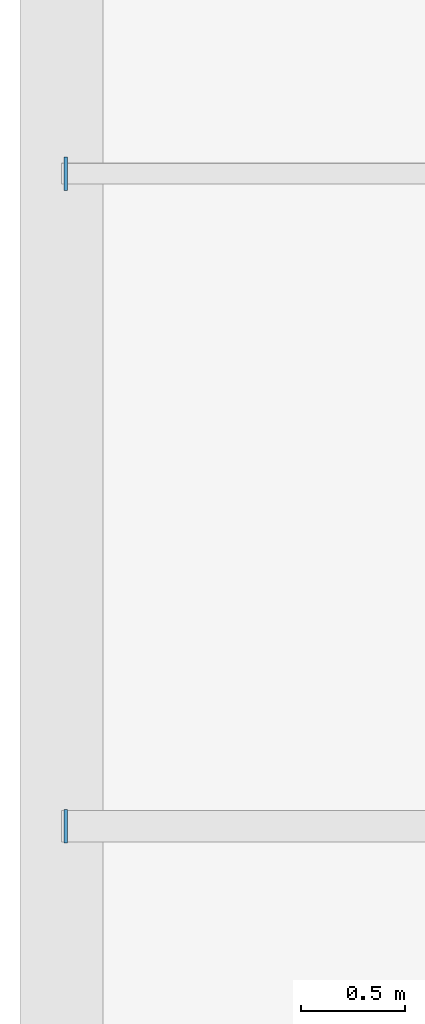
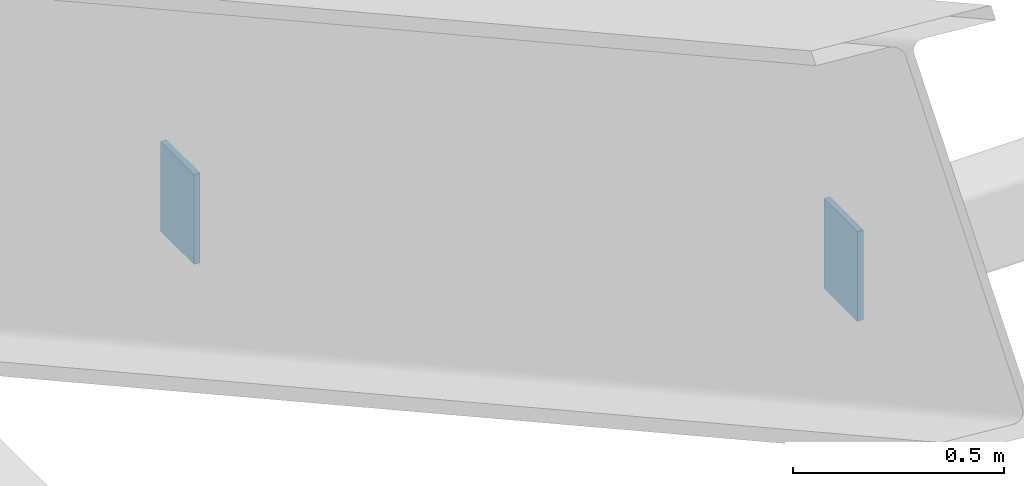
# One storey, part 9 of 13: 2 plates.
"""IFC4 building model written with IfcOpenShell, lengths in metres."""

import ifcopenshell
import ifcopenshell.guid

model = None  # the IFC model being written
_history = None  # IfcOwnerHistory: only IFC2X3 demands one
_inside = {}  # id of a spatial element -> (the spatial element, [elements in it])
_under = {}  # id of a project, library or spatial element -> (it, [spatial elements below it])
_declared = {}  # id of a project -> (the project, [libraries it declares])
_typed = {}  # id of a type object -> (the type object, [elements of that type])
_made_of = {}  # id of a material, layer set ... -> (it, [elements and type objects made of it])


def new_model(schema):
    """Start an empty IFC model of exactly this schema.

    Asked for "IFC4X3", IfcOpenShell would pick the latest addendum, in which some entities
    have other attributes; the version numbers below select the first issue.
    IFC2X3 requires an IfcOwnerHistory on every rooted entity: one is made here for all.
    """
    global model, _history
    if schema == "IFC4X3":
        model = ifcopenshell.file(schema_version=(4, 3, 0, 0))
    else:
        model = ifcopenshell.file(schema=schema)
    _inside.clear()
    _under.clear()
    _declared.clear()
    _typed.clear()
    _made_of.clear()
    _history = None
    if model.schema == "IFC2X3":
        org = make("IfcOrganization", Name="unknown")
        user = make(
            "IfcPersonAndOrganization",
            ThePerson=make("IfcPerson", FamilyName="unknown"),
            TheOrganization=org,
        )
        app = make(
            "IfcApplication",
            ApplicationDeveloper=org,
            Version="unknown",
            ApplicationFullName="unknown",
            ApplicationIdentifier="unknown",
        )
        _history = make(
            "IfcOwnerHistory",
            OwningUser=user,
            OwningApplication=app,
            ChangeAction="ADDED",
            CreationDate=0,
        )
    return model


def make(cls, **values):
    """One entity of the class cls with the attributes given. An attribute that is None is left unset."""
    return model.create_entity(
        cls, **{name: value for name, value in values.items() if value is not None}
    )


def rooted(cls, **values):
    """An entity with a GlobalId (a new one), such as an element, a storey or a relation."""
    return make(cls, GlobalId=ifcopenshell.guid.new(), OwnerHistory=_history, **values)


def si_unit(unit_type, name, prefix=None):
    """IfcSIUnit, for example si_unit("LENGTHUNIT", "METRE", prefix="MILLI")."""
    return make("IfcSIUnit", UnitType=unit_type, Prefix=prefix, Name=name)


def assignment(units):
    """IfcUnitAssignment: the units of a project."""
    return None if units is None else make("IfcUnitAssignment", Units=units)


def point(xyz):
    """IfcCartesianPoint."""
    return None if xyz is None else make("IfcCartesianPoint", Coordinates=xyz)


def direction(xyz):
    """IfcDirection."""
    return None if xyz is None else make("IfcDirection", DirectionRatios=xyz)


def frame(location, z_axis=None, x_axis=None):
    """IfcAxis2Placement3D, a coordinate frame: its origin and axes. An axis left out is left unset."""
    return make(
        "IfcAxis2Placement3D",
        Location=point(location),
        Axis=direction(z_axis),
        RefDirection=direction(x_axis),
    )


def frame_2d(location, x_axis=None):
    """IfcAxis2Placement2D, a coordinate frame in the plane: its origin and x axis."""
    return make(
        "IfcAxis2Placement2D", Location=point(location), RefDirection=direction(x_axis)
    )


def origin():
    """The frame at (0, 0, 0) with its axes left unset."""
    return frame((0.0, 0.0, 0.0))


def origin_2d():
    """The frame at (0, 0) in the plane with its x axis left unset."""
    return frame_2d((0.0, 0.0))


def place(relative_to, where):
    """IfcLocalPlacement: puts the frame where relative to a parent placement (None: the world)."""
    return make(
        "IfcLocalPlacement", PlacementRelTo=relative_to, RelativePlacement=where
    )


def context(
    kind, dimensions, precision=None, world=None, true_north=None, identifier=None
):
    """IfcGeometricRepresentationContext, for example the 3D "Model" context."""
    return make(
        "IfcGeometricRepresentationContext",
        ContextIdentifier=identifier,
        ContextType=kind,
        CoordinateSpaceDimension=dimensions,
        Precision=precision,
        WorldCoordinateSystem=world,
        TrueNorth=true_north,
    )


def subcontext(parent, identifier, kind, view, scale=None):
    """IfcGeometricRepresentationSubContext, for example "Body" below "Model"."""
    return make(
        "IfcGeometricRepresentationSubContext",
        ContextIdentifier=identifier,
        ContextType=kind,
        ParentContext=parent,
        TargetScale=scale,
        TargetView=view,
    )


def project(units=None, contexts=None):
    """IfcProject with its units and contexts."""
    return rooted(
        "IfcProject",
        Name="project",
        RepresentationContexts=contexts,
        UnitsInContext=assignment(units),
    )


def spatial(cls, under=None, at=None, **own):
    """A site, building, storey or space (cls), placed at a placement, below another one or the project."""
    s = rooted(cls, ObjectPlacement=at, **own)
    if under is not None:
        _under.setdefault(under.id(), (under, []))[1].append(s)
    return s


def profile(cls, at=None, kind="AREA", **sizes):
    """A parametric profile (cls). Its sizes go by their IFC names, for example OverallWidth=200.0."""
    return make(cls, ProfileType=kind, Position=at, **sizes)


def rectangle(**sizes):
    """IfcRectangleProfileDef."""
    return profile("IfcRectangleProfileDef", **sizes)


def extrude(swept, where, along, depth):
    """IfcExtrudedAreaSolid: the profile swept, set in the frame where, extruded along a direction by depth."""
    return make(
        "IfcExtrudedAreaSolid",
        SweptArea=swept,
        Position=where,
        ExtrudedDirection=direction(along),
        Depth=depth,
    )


def shape(context_of_items, identifier, shape_type, items):
    """IfcShapeRepresentation: the items that make up one representation, for example the "Body"."""
    return make(
        "IfcShapeRepresentation",
        ContextOfItems=context_of_items,
        RepresentationIdentifier=identifier,
        RepresentationType=shape_type,
        Items=items,
    )


def material(Name=None, Category=None):
    """IfcMaterial."""
    return make("IfcMaterial", Name=Name, Category=Category)


def layer(
    of_material, thickness, ventilated=None, Name=None, Category=None, Priority=None
):
    """IfcMaterialLayer: one layer of a wall or slab, of a material (None: an air gap)."""
    return make(
        "IfcMaterialLayer",
        Material=of_material,
        LayerThickness=thickness,
        IsVentilated=ventilated,
        Name=Name,
        Category=Category,
        Priority=Priority,
    )


def layer_set(layers, Name=None):
    """IfcMaterialLayerSet."""
    return make("IfcMaterialLayerSet", MaterialLayers=layers, LayerSetName=Name)


def made_of(thing, what):
    """Note that an element or type object is made of a material, layer set ...; save() writes the relation."""
    if what is not None:
        _made_of.setdefault(what.id(), (what, []))[1].append(thing)
    return thing


def type_object(cls, material=None, **own):
    """A type object (cls), such as IfcWallType, which elements share."""
    return made_of(rooted(cls, **own), material)


def element(
    cls,
    number,
    at=None,
    inside=None,
    cuts=None,
    type_object=None,
    material=None,
    context=None,
    identifier="Body",
    shape_type=None,
    held_by="IfcProductDefinitionShape",
    body=None,
    shapes=None,
    **own,
):
    """One element of the class cls, such as IfcWall. Its Tag is "e" and its number.

    at: its placement. inside: the storey or other place that contains it. cuts: it is an
    opening in that element (IfcRelVoidsElement). A single representation is given by context,
    identifier, shape_type and body (its items); several are given by shapes. held_by: the class
    of the entity that holds the representations. save() writes the other relations.
    """
    e = rooted(cls, Tag="e%d" % number, ObjectPlacement=at, **own)
    if body is not None:
        shapes = [shape(context, identifier, shape_type, body)]
    if shapes is not None:
        e.Representation = make(held_by, Representations=shapes)
    if inside is not None:
        _inside.setdefault(inside.id(), (inside, []))[1].append(e)
    if cuts is not None:
        rooted(
            "IfcRelVoidsElement", RelatingBuildingElement=cuts, RelatedOpeningElement=e
        )
    if type_object is not None:
        _typed.setdefault(type_object.id(), (type_object, []))[1].append(e)
    return made_of(e, material)


def aggregate(whole, parts):
    """IfcRelAggregates: a whole, such as a stair, and the parts it consists of."""
    return rooted("IfcRelAggregates", RelatingObject=whole, RelatedObjects=parts)


def save(model, path):
    """Write the relations noted so far, then the file.

    IfcRelAggregates (storeys below a building ...), IfcRelContainedInSpatialStructure (elements
    in a storey), IfcRelDefinesByType, IfcRelAssociatesMaterial and IfcRelDeclares: one each for
    every whole, place, type object, material and project.
    """
    for whole, parts in _under.values():
        aggregate(whole, parts)
    for where, things in _inside.values():
        rooted(
            "IfcRelContainedInSpatialStructure",
            RelatedElements=things,
            RelatingStructure=where,
        )
    for kind, things in _typed.values():
        rooted("IfcRelDefinesByType", RelatedObjects=things, RelatingType=kind)
    for what, things in _made_of.values():
        rooted("IfcRelAssociatesMaterial", RelatedObjects=things, RelatingMaterial=what)
    for by, libraries in _declared.values():
        rooted("IfcRelDeclares", RelatingContext=by, RelatedDefinitions=libraries)
    model.write(path)


model = new_model("IFC4")

# Units and contexts
model_context = context("Model", 3, precision=1e-05, world=origin(), true_north=direction((0.0, 1.0)))
body_context = subcontext(model_context, "Body", "Model", "MODEL_VIEW")
ifc_project = project(units=[si_unit("LENGTHUNIT", "METRE"), si_unit("AREAUNIT", "SQUARE_METRE"), si_unit("VOLUMEUNIT", "CUBIC_METRE"), si_unit("PLANEANGLEUNIT", "RADIAN"), si_unit("MASSUNIT", "GRAM", prefix="KILO")], contexts=[model_context])

# Site, building, storey
site_placement = place(None, origin())
site = spatial("IfcSite", under=ifc_project, at=site_placement, CompositionType="ELEMENT")
building_placement = place(site_placement, origin())
building = spatial("IfcBuilding", under=site, at=building_placement, Name="Calvrana Isthmian Art Gallery", CompositionType="ELEMENT")
storey_placement = place(building_placement, frame((0.0, 0.0, 29.39990234375)))
storey = spatial("IfcBuildingStorey", under=building, at=storey_placement, Name="RF", CompositionType="ELEMENT", Elevation=29.39990234375)

# Plates
ifc_material = material(Name="Steel ASTM A572 Gr 50", Category="steel")
ifc_layer = layer(ifc_material, 0.01611328125, Name="Steel ASTM A572 Gr 50")
ifc_layer_set = layer_set([ifc_layer], Name="Steel ASTM A572 Gr 50")
plate_type = type_object("IfcPlateType", Name="PL-CAP-16", PredefinedType="SHEET", material=ifc_layer_set)
for number, where, z_axis, x_axis, name in (
    (1, (21.6201171875, 43.64990234375, 0.734375), (0.0, 0.0, 1.0), (1.0, 0.0, 0.0), "HSS purlin end cap N-1-1"),
    (2, (21.6201171875, 40.5, 2.4794921875), (0.0, 0.0, 1.0), (1.0, 0.0, 0.0), "HSS purlin end cap N-1-2"),
):
    element("IfcPlate", number, at=place(storey_placement, frame(where, z_axis=z_axis, x_axis=x_axis)), inside=storey, type_object=plate_type, Name=name, PredefinedType="SHEET", context=body_context, shape_type="SweptSolid", body=[
        extrude(rectangle(XDim=0.01611328125, YDim=0.159912109375, at=origin_2d()), origin(), (0.0, 0.0, 1.0), 0.260009765625),
    ])

save(model, "model.ifc")
